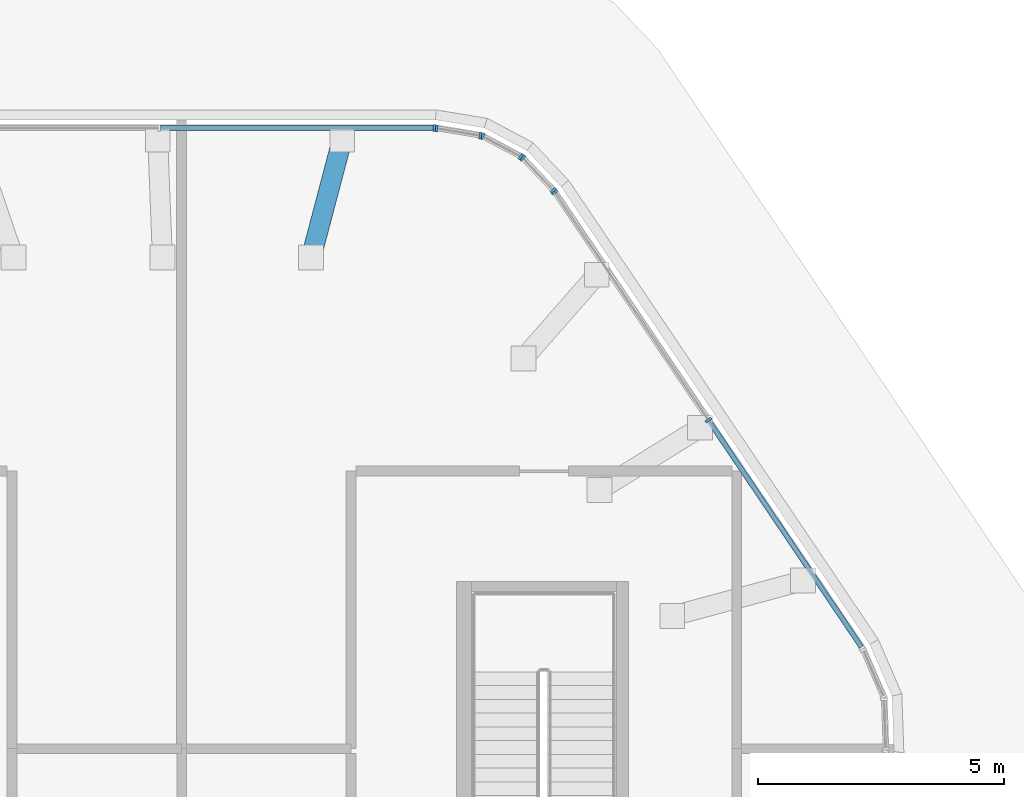
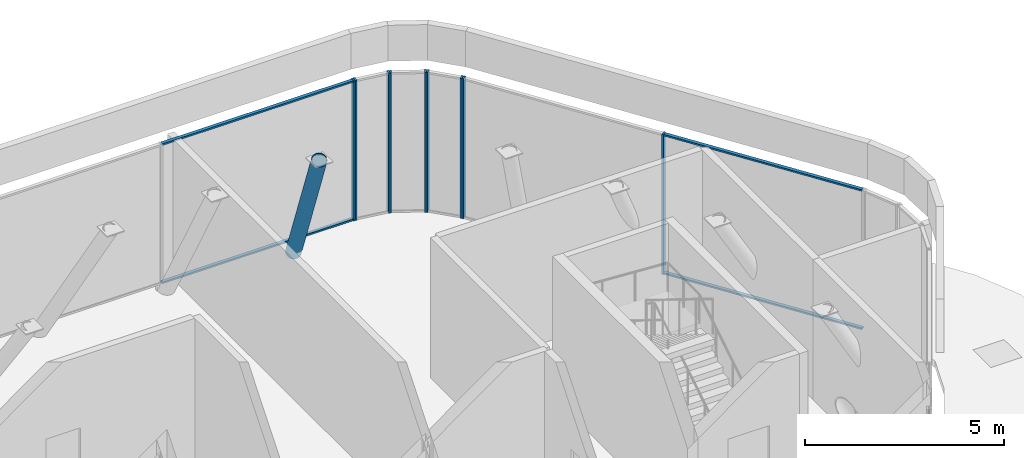
# One storey, part 4 of 9: 14 members, 5 elements without a shape of their own.
"""IFC4 building model written with IfcOpenShell, lengths in metres."""

from ifc_helpers import new_model, si_unit, direction, frame, origin, origin_2d, place, context, subcontext, project, spatial, rectangle, hollow_circle, extrude, material, material_profile, profile_set, type_object, element, aggregate, save


model = new_model("IFC4")

# Units and contexts
model_context = context("Model", 3, precision=1e-05, world=origin(), true_north=direction((0.0, 1.0)))
body_context = subcontext(model_context, "Body", "Model", "MODEL_VIEW")
ifc_project = project(units=[si_unit("LENGTHUNIT", "METRE"), si_unit("AREAUNIT", "SQUARE_METRE"), si_unit("VOLUMEUNIT", "CUBIC_METRE"), si_unit("PLANEANGLEUNIT", "RADIAN"), si_unit("MASSUNIT", "GRAM", prefix="KILO")], contexts=[model_context])

# Site, building, storey
site_placement = place(None, origin())
site = spatial("IfcSite", under=ifc_project, at=site_placement, CompositionType="ELEMENT")
building_placement = place(site_placement, origin())
building = spatial("IfcBuilding", under=site, at=building_placement, Name="Tarnside Tower", CompositionType="ELEMENT")
storey_placement = place(building_placement, frame((0.0, 0.0, 401.699951171875)))
storey = spatial("IfcBuildingStorey", under=building, at=storey_placement, Name="L95", CompositionType="ELEMENT", Elevation=401.699951171875)

# Curtain wall, member
ifc_material_1 = material(Name="Crown glazing wall", Category="glass")
curtain_wall_type = type_object("IfcCurtainWallType", Name="Crown glazing wall", PredefinedType="NOTDEFINED", material=ifc_material_1)
curtain_wall_1_placement = place(storey_placement, origin())
curtain_wall_1 = element("IfcCurtainWall", 1, at=curtain_wall_1_placement, inside=storey, type_object=curtain_wall_type, Name="Crown glazing L95 00", PredefinedType="NOTDEFINED")
ifc_material_2 = material(Name="Aluminium alloy 6063", Category="aluminium")
ifc_material_profile_1 = material_profile(ifc_material_2, rectangle(XDim=0.139892578125, YDim=0.050048828125, at=origin_2d()), Name="Crown glazing mullion 50 x 140")
ifc_profile_set_1 = profile_set([ifc_material_profile_1], Name="Aluminium alloy 6063")
member_type_1 = type_object("IfcMemberType", Name="Crown glazing mullion 50 x 140", PredefinedType="MULLION", material=ifc_profile_set_1)
member_1_placement = place(storey_placement, frame((5.14111328125, 12.6298828125, 0.0), z_axis=(0.0, 0.0, 1.0), x_axis=(0.0, 1.0, 0.0)))
member_1 = element("IfcMember", 2, at=member_1_placement, type_object=member_type_1, Name="CW6 mullion 3", PredefinedType="MULLION", context=body_context, shape_type="SweptSolid", body=[
    extrude(rectangle(XDim=0.139892578125, YDim=0.050048828125, at=origin_2d()), origin(), (0.0, 0.0, 1.0), 4.300048828125),
])

# Curtain wall, members
curtain_wall_2_placement = place(storey_placement, origin())
curtain_wall_2 = element("IfcCurtainWall", 3, at=curtain_wall_2_placement, inside=storey, type_object=curtain_wall_type, Name="Crown glazing L95 01", PredefinedType="NOTDEFINED")
member_2_placement = place(storey_placement, frame((5.19091796875, 12.6259765625, 0.0), z_axis=(0.0, 0.0, 1.0), x_axis=(0.16217792353, 0.986761532043, 0.0)))
member_2 = element("IfcMember", 4, at=member_2_placement, type_object=member_type_1, Name="CW6 mullion 1", PredefinedType="MULLION", context=body_context, shape_type="SweptSolid", body=[
    extrude(rectangle(XDim=0.139892578125, YDim=0.050048828125, at=origin_2d()), origin(), (0.0, 0.0, 1.0), 4.300048828125),
])
member_3_placement = place(storey_placement, frame((6.080322265625, 12.479736328125, 0.0), z_axis=(0.0, 0.0, 1.0), x_axis=(0.16217792353, 0.986761532043, 0.0)))
member_3 = element("IfcMember", 5, at=member_3_placement, type_object=member_type_1, Name="CW6 mullion 2", PredefinedType="MULLION", context=body_context, shape_type="SweptSolid", body=[
    extrude(rectangle(XDim=0.139892578125, YDim=0.050048828125, at=origin_2d()), origin(), (0.0, 0.0, 1.0), 4.300048828125),
])
aggregate(curtain_wall_2, [member_2, member_3])

curtain_wall_3_placement = place(storey_placement, origin())
curtain_wall_3 = element("IfcCurtainWall", 6, at=curtain_wall_3_placement, inside=storey, type_object=curtain_wall_type, Name="Crown glazing L95 02", PredefinedType="NOTDEFINED")
member_4_placement = place(storey_placement, frame((6.126953125, 12.4638671875, 0.0), z_axis=(0.0, 0.0, 1.0), x_axis=(0.469471562139, 0.882947593203, 0.0)))
member_4 = element("IfcMember", 7, at=member_4_placement, type_object=member_type_1, Name="CW6 mullion 1", PredefinedType="MULLION", context=body_context, shape_type="SweptSolid", body=[
    extrude(rectangle(XDim=0.139892578125, YDim=0.050048828125, at=origin_2d()), origin(), (0.0, 0.0, 1.0), 4.300048828125),
])
member_5_placement = place(storey_placement, frame((6.906982421875, 12.04931640625, 0.0), z_axis=(0.0, 0.0, 1.0), x_axis=(0.469471562139, 0.882947593203, 0.0)))
member_5 = element("IfcMember", 8, at=member_5_placement, type_object=member_type_1, Name="CW6 mullion 2", PredefinedType="MULLION", context=body_context, shape_type="SweptSolid", body=[
    extrude(rectangle(XDim=0.139892578125, YDim=0.050048828125, at=origin_2d()), origin(), (0.0, 0.0, 1.0), 4.300048828125),
])
aggregate(curtain_wall_3, [member_4, member_5])

curtain_wall_4_placement = place(storey_placement, origin())
curtain_wall_4 = element("IfcCurtainWall", 9, at=curtain_wall_4_placement, inside=storey, type_object=curtain_wall_type, Name="Crown glazing L95 03", PredefinedType="NOTDEFINED")
member_6_placement = place(storey_placement, frame((6.946044921875, 12.01953125, 0.0), z_axis=(0.0, 0.0, 1.0), x_axis=(0.72737364208, 0.686241637331, 0.0)))
member_6 = element("IfcMember", 10, at=member_6_placement, type_object=member_type_1, Name="CW6 mullion 1", PredefinedType="MULLION", context=body_context, shape_type="SweptSolid", body=[
    extrude(rectangle(XDim=0.139892578125, YDim=0.050048828125, at=origin_2d()), origin(), (0.0, 0.0, 1.0), 4.300048828125),
])
member_7_placement = place(storey_placement, frame((7.564697265625, 11.36376953125, 0.0), z_axis=(0.0, 0.0, 1.0), x_axis=(0.72737364208, 0.686241637331, 0.0)))
member_7 = element("IfcMember", 11, at=member_7_placement, type_object=member_type_1, Name="CW6 mullion 2", PredefinedType="MULLION", context=body_context, shape_type="SweptSolid", body=[
    extrude(rectangle(XDim=0.139892578125, YDim=0.050048828125, at=origin_2d()), origin(), (0.0, 0.0, 1.0), 4.300048828125),
])
aggregate(curtain_wall_4, [member_6, member_7])

curtain_wall_5_placement = place(storey_placement, origin())
curtain_wall_5 = element("IfcCurtainWall", 12, at=curtain_wall_5_placement, inside=storey, type_object=curtain_wall_type, Name="Crown glazing L95 04", PredefinedType="NOTDEFINED")
member_8_placement = place(storey_placement, frame((7.595703125, 11.324951171875, 0.0), z_axis=(0.0, 0.0, 1.0), x_axis=(0.829037572545, 0.559192903485, 0.0)))
member_8 = element("IfcMember", 13, at=member_8_placement, type_object=member_type_1, Name="CW6 mullion 1", PredefinedType="MULLION", context=body_context, shape_type="SweptSolid", body=[
    extrude(rectangle(XDim=0.139892578125, YDim=0.050048828125, at=origin_2d()), origin(), (0.0, 0.0, 1.0), 4.300048828125),
])
member_9_placement = place(storey_placement, frame((10.723876953125, 6.687255859375, 0.0), z_axis=(0.0, 0.0, 1.0), x_axis=(0.829037572545, 0.559192903485, 0.0)))
member_9 = element("IfcMember", 14, at=member_9_placement, type_object=member_type_1, Name="CW6 mullion 2", PredefinedType="MULLION", context=body_context, shape_type="SweptSolid", body=[
    extrude(rectangle(XDim=0.139892578125, YDim=0.050048828125, at=origin_2d()), origin(), (0.0, 0.0, 1.0), 4.300048828125),
])

# Member
ifc_material_profile_2 = material_profile(ifc_material_2, rectangle(XDim=0.10009765625, YDim=0.050048828125, at=origin_2d()), Name="Crown glazing transom 50 x 100")
ifc_profile_set_2 = profile_set([ifc_material_profile_2], Name="Aluminium alloy 6063")
member_type_2 = type_object("IfcMemberType", Name="Crown glazing transom 50 x 100", PredefinedType="USERDEFINED", material=ifc_profile_set_2)
member_10_placement = place(storey_placement, frame((-0.427978515625, 12.6298828125, 0.025146484375), z_axis=(1.0, 0.0, 0.0), x_axis=(0.0, 1.0, 0.0)))
member_10 = element("IfcMember", 15, at=member_10_placement, type_object=member_type_2, Name="CW6 transom 2.1", ObjectType="TRANSOM", PredefinedType="USERDEFINED", context=body_context, shape_type="SweptSolid", body=[
    extrude(rectangle(XDim=0.10009765625, YDim=0.050048828125, at=origin_2d()), origin(), (0.0, 0.0, 1.0), 5.544189453125),
])

member_11_placement = place(storey_placement, frame((-0.427978515625, 12.6298828125, 4.275146484375), z_axis=(1.0, 0.0, 0.0), x_axis=(0.0, 1.0, 0.0)))
member_11 = element("IfcMember", 16, at=member_11_placement, type_object=member_type_2, Name="CW6 transom 2.2", ObjectType="TRANSOM", PredefinedType="USERDEFINED", context=body_context, shape_type="SweptSolid", body=[
    extrude(rectangle(XDim=0.10009765625, YDim=0.050048828125, at=origin_2d()), origin(), (0.0, 0.0, 1.0), 5.544189453125),
])

aggregate(curtain_wall_1, [member_1, member_10, member_11])

member_12_placement = place(storey_placement, frame((10.738037109375, 6.66650390625, 0.025146484375), z_axis=(0.55918390394, -0.829043642744, 0.0), x_axis=(0.829043642744, 0.55918390394, 0.0)))
member_12 = element("IfcMember", 17, at=member_12_placement, type_object=member_type_2, Name="CW6 transom 2.1", ObjectType="TRANSOM", PredefinedType="USERDEFINED", context=body_context, shape_type="SweptSolid", body=[
    extrude(rectangle(XDim=0.10009765625, YDim=0.050048828125, at=origin_2d()), origin(), (0.0, 0.0, 1.0), 5.5439453125),
])

member_13_placement = place(storey_placement, frame((10.738037109375, 6.66650390625, 4.275146484375), z_axis=(0.55918390394, -0.829043642744, 0.0), x_axis=(0.829043642744, 0.55918390394, 0.0)))
member_13 = element("IfcMember", 18, at=member_13_placement, type_object=member_type_2, Name="CW6 transom 2.2", ObjectType="TRANSOM", PredefinedType="USERDEFINED", context=body_context, shape_type="SweptSolid", body=[
    extrude(rectangle(XDim=0.10009765625, YDim=0.050048828125, at=origin_2d()), origin(), (0.0, 0.0, 1.0), 5.5439453125),
])

aggregate(curtain_wall_5, [member_8, member_9, member_12, member_13])

ifc_material_3 = material(Name="Steel S355", Category="steel")
ifc_material_profile_3 = material_profile(ifc_material_3, hollow_circle(Radius=0.203125, WallThickness=0.01611328125, at=origin_2d()), Name="CHS 406.4x16")
ifc_profile_set_3 = profile_set([ifc_material_profile_3], Name="Steel S355")
member_type_3 = type_object("IfcMemberType", Name="Truss diagonal CHS 406.4x16", PredefinedType="BRACE", material=ifc_profile_set_3)
member_14_placement = place(storey_placement, frame((3.269287109375, 12.39990234375, -0.199951171875), z_axis=(-0.123137686278, -0.466992074119, 0.875645769091), x_axis=(0.966949550575, -0.254967775696, 0.0)))
element("IfcMember", 19, at=member_14_placement, inside=storey, type_object=member_type_3, Name="Crown leg L95 1", PredefinedType="BRACE", context=body_context, shape_type="SweptSolid", body=[
    extrude(hollow_circle(Radius=0.203125, WallThickness=0.01611328125, at=origin_2d()), origin(), (0.0, 0.0, 1.0), 5.13916015625),
])

save(model, "model.ifc")
